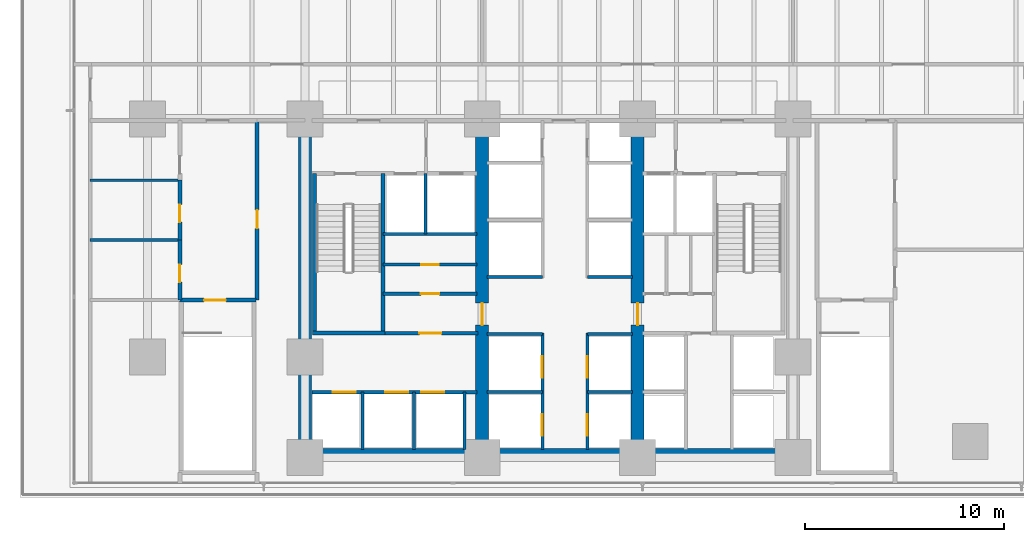
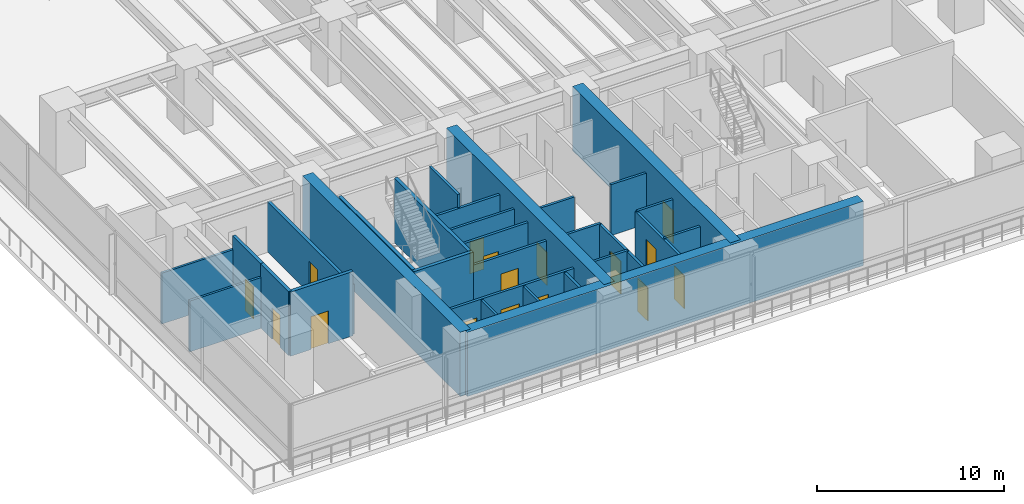
# One storey, part 7 of 21: 30 walls, 16 doors, 16 openings.
"""IFC4 building model written with IfcOpenShell, lengths in metres."""

from ifc_helpers import new_model, si_unit, direction, frame, frame_2d, origin, place, context, subcontext, project, spatial, rectangle, extrude, material, layer, layer_set, type_object, element, fill, save


model = new_model("IFC4")

# Units and contexts
model_context = context("Model", 3, precision=1e-05, world=origin(), true_north=direction((0.0, 1.0)))
body_context = subcontext(model_context, "Body", "Model", "MODEL_VIEW")
ifc_project = project(units=[si_unit("LENGTHUNIT", "METRE"), si_unit("AREAUNIT", "SQUARE_METRE"), si_unit("VOLUMEUNIT", "CUBIC_METRE"), si_unit("PLANEANGLEUNIT", "RADIAN"), si_unit("MASSUNIT", "GRAM", prefix="KILO")], contexts=[model_context])

# Site, building, storey
site_placement = place(None, origin())
site = spatial("IfcSite", under=ifc_project, at=site_placement, CompositionType="ELEMENT")
building_placement = place(site_placement, origin())
building = spatial("IfcBuilding", under=site, at=building_placement, Name="Qalmaran Belvedere Hotel", CompositionType="ELEMENT")
storey_placement = place(building_placement, frame((0.0, 0.0, 23.800048828125)))
storey = spatial("IfcBuildingStorey", under=building, at=storey_placement, Name="L05", CompositionType="ELEMENT", Elevation=23.800048828125)

# Walls
ifc_material_1 = material(Name="Concrete C60/75", Category="concrete")
ifc_layer_1 = layer(ifc_material_1, 0.64990234375, Name="Concrete C60/75")
ifc_layer_set_1 = layer_set([ifc_layer_1], Name="Concrete C60/75")
wall_type_1 = type_object("IfcWallType", Name="WL-CORE-650-C60", PredefinedType="SHEAR", material=ifc_layer_set_1)
wall_1_placement = place(storey_placement, frame((20.300048828125, 3.6298828125, 0.0), z_axis=(0.0, 0.0, 1.0), x_axis=(1.0, 0.0, 0.0)))
element("IfcWall", 1, at=wall_1_placement, inside=storey, type_object=wall_type_1, Name="L05 South Core Shear Wall", PredefinedType="SHEAR", context=body_context, shape_type="SweptSolid", body=[
    extrude(rectangle(XDim=24.5, YDim=0.64990234375, at=frame_2d((12.25, 0.0))), origin(), (0.0, 0.0, 1.0), 4.199951171875),
])
wall_2_placement = place(storey_placement, frame((20.300048828125, 3.5, 0.0), z_axis=(0.0, 0.0, 1.0), x_axis=(0.0, 1.0, 0.0)))
element("IfcWall", 2, at=wall_2_placement, inside=storey, type_object=wall_type_1, Name="L05 West Core Shear Wall", PredefinedType="SHEAR", context=body_context, shape_type="SweptSolid", body=[
    extrude(rectangle(XDim=16.89990234375, YDim=0.64990234375, at=frame_2d((8.449951171875, 0.0))), origin(), (0.0, 0.0, 1.0), 4.199951171875),
])

# Wall, opening, door
wall_3_placement = place(storey_placement, frame((29.199951171875, 3.5, 0.0), z_axis=(0.0, 0.0, 1.0), x_axis=(0.0, 1.0, 0.0)))
wall_3 = element("IfcWall", 3, at=wall_3_placement, inside=storey, type_object=wall_type_1, Name="L05 Core West Spine Shear Wall", PredefinedType="SHEAR", context=body_context, shape_type="SweptSolid", body=[
    extrude(rectangle(XDim=16.89990234375, YDim=0.64990234375, at=frame_2d((8.449951171875, 0.0))), origin(), (0.0, 0.0, 1.0), 4.199951171875),
])
opening_1_placement = place(wall_3_placement, frame((7.75, 0.0, 0.0), z_axis=(0.0, 0.0, 1.0), x_axis=(-1.0, 0.0, 0.0)))
opening_1 = element("IfcOpeningElement", 4, at=opening_1_placement, cuts=wall_3, Name="Opening FD90", PredefinedType="OPENING", context=body_context, shape_type="SweptSolid", body=[
    extrude(rectangle(XDim=1.10009765625, YDim=2.14990234375, at=frame_2d((0.550048828125, 1.074951171875))), frame((0.0, 0.3349609375, 0.0), z_axis=(0.0, -1.0, 0.0), x_axis=(1.0, 0.0, 0.0)), (0.0, 0.0, 1.0), 0.669921875),
])
ifc_material_2 = material(Name="Steel S355JR", Category="steel")
door_type_1 = type_object("IfcDoorType", Name="DR-FD90-1100X2150", OperationType="NOTDEFINED", PredefinedType="DOOR", material=ifc_material_2)
door_1_placement = place(opening_1_placement, origin())
door_1 = element("IfcDoor", 5, at=door_1_placement, inside=storey, type_object=door_type_1, Name="L05 Core West Cross-Lobby Door", OperationType="SINGLE_SWING_LEFT", OverallHeight=2.14990234375, OverallWidth=1.10009765625, PredefinedType="DOOR", context=body_context, shape_type="SweptSolid", body=[
    extrude(rectangle(XDim=1.10009765625, YDim=2.14990234375, at=frame_2d((0.550048828125, 1.074951171875))), frame((0.0, 0.02490234375, 0.0), z_axis=(0.0, -1.0, 0.0), x_axis=(1.0, 0.0, 0.0)), (0.0, 0.0, 1.0), 0.050048828125),
])
fill(opening_1, door_1)

wall_4_placement = place(storey_placement, frame((37.0, 3.5, 0.0), z_axis=(0.0, 0.0, 1.0), x_axis=(0.0, 1.0, 0.0)))
wall_4 = element("IfcWall", 6, at=wall_4_placement, inside=storey, type_object=wall_type_1, Name="L05 Core East Spine Shear Wall", PredefinedType="SHEAR", context=body_context, shape_type="SweptSolid", body=[
    extrude(rectangle(XDim=16.89990234375, YDim=0.64990234375, at=frame_2d((8.449951171875, 0.0))), origin(), (0.0, 0.0, 1.0), 4.199951171875),
])
opening_2_placement = place(wall_4_placement, frame((6.64990234375, 0.0, 0.0)))
opening_2 = element("IfcOpeningElement", 7, at=opening_2_placement, cuts=wall_4, Name="Opening FD90", PredefinedType="OPENING", context=body_context, shape_type="SweptSolid", body=[
    extrude(rectangle(XDim=1.10009765625, YDim=2.14990234375, at=frame_2d((0.550048828125, 1.074951171875))), frame((0.0, 0.3349609375, 0.0), z_axis=(0.0, -1.0, 0.0), x_axis=(1.0, 0.0, 0.0)), (0.0, 0.0, 1.0), 0.669921875),
])
door_2_placement = place(opening_2_placement, origin())
door_2 = element("IfcDoor", 8, at=door_2_placement, inside=storey, type_object=door_type_1, Name="L05 Core East Cross-Lobby Door", OperationType="SINGLE_SWING_RIGHT", OverallHeight=2.14990234375, OverallWidth=1.10009765625, PredefinedType="DOOR", context=body_context, shape_type="SweptSolid", body=[
    extrude(rectangle(XDim=1.10009765625, YDim=2.14990234375, at=frame_2d((0.550048828125, 1.074951171875))), frame((0.0, 0.02490234375, 0.0), z_axis=(0.0, -1.0, 0.0), x_axis=(1.0, 0.0, 0.0)), (0.0, 0.0, 1.0), 0.050048828125),
])
fill(opening_2, door_2)

# Walls
ifc_material_3 = material(Name="Gypsum Stud Partition")
ifc_layer_2 = layer(ifc_material_3, 0.139892578125, Name="Gypsum Stud Partition")
ifc_layer_set_2 = layer_set([ifc_layer_2], Name="Gypsum Stud Partition")
wall_type_2 = type_object("IfcWallType", Name="WL-INT-140-NR", PredefinedType="PARTITIONING", material=ifc_layer_set_2)
for number, where, z_axis, x_axis, name in (
    (9, (9.52001953125, 14.419921875, 0.0), (0.0, 0.0, 1.0), (1.0, 0.0, 0.0), "L05 Partition WL-L05-WC1"),
    (10, (9.52001953125, 17.419921875, 0.0), (0.0, 0.0, 1.0), (1.0, 0.0, 0.0), "L05 Partition WL-L05-WC2"),
):
    element("IfcWall", number, at=place(storey_placement, frame(where, z_axis=z_axis, x_axis=x_axis)), inside=storey, type_object=wall_type_2, Name=name, PredefinedType="PARTITIONING", context=body_context, shape_type="SweptSolid", body=[
        extrude(rectangle(XDim=4.5, YDim=0.139892578125, at=frame_2d((2.25, 0.0))), origin(), (0.0, 0.0, 1.0), 3.329833984375),
    ])
ifc_layer_3 = layer(ifc_material_3, 0.14990234375, Name="Gypsum Stud Partition")
ifc_layer_set_3 = layer_set([ifc_layer_3], Name="Gypsum Stud Partition")
wall_type_3 = type_object("IfcWallType", Name="WL-INT-150-EI120", PredefinedType="PARTITIONING", material=ifc_layer_set_3)
wall_5_placement = place(storey_placement, frame((26.360107421875, 14.719970703125, 0.0), z_axis=(0.0, 0.0, 1.0), x_axis=(0.0, 1.0, 0.0)))
element("IfcWall", 11, at=wall_5_placement, inside=storey, type_object=wall_type_3, Name="L05 Partition WL-FF1M-L05", PredefinedType="PARTITIONING", context=body_context, shape_type="SweptSolid", body=[
    extrude(rectangle(XDim=3.0400390625, YDim=0.14990234375, at=frame_2d((1.52001953125, 0.0))), origin(), (0.0, 0.0, 1.0), 4.199951171875),
])
for number, where, z_axis, x_axis, name in (
    (12, (23.179931640625, 3.89990234375, 0.0), (0.0, 0.0, 1.0), (0.0, 1.0, 0.0), "L05 Partition WL-POM1-L05"),
    (13, (25.780029296875, 3.89990234375, 0.0), (0.0, 0.0, 1.0), (0.0, 1.0, 0.0), "L05 Partition WL-POM2-L05"),
    (14, (28.320068359375, 3.89990234375, 0.0), (0.0, 0.0, 1.0), (0.0, 1.0, 0.0), "L05 Partition WL-POM3-L05"),
):
    element("IfcWall", number, at=place(storey_placement, frame(where, z_axis=z_axis, x_axis=x_axis)), inside=storey, type_object=wall_type_3, Name=name, PredefinedType="PARTITIONING", context=body_context, shape_type="SweptSolid", body=[
        extrude(rectangle(XDim=2.880126953125, YDim=0.14990234375, at=frame_2d((1.43994140625, 0.0))), origin(), (0.0, 0.0, 1.0), 3.263916015625),
    ])
wall_6_placement = place(storey_placement, frame((29.449951171875, 6.780029296875, 0.0), z_axis=(0.0, 0.0, 1.0), x_axis=(1.0, 0.0, 0.0)))
element("IfcWall", 15, at=wall_6_placement, inside=storey, type_object=wall_type_3, Name="L05 Partition WL-PLW-L05-67", PredefinedType="PARTITIONING", context=body_context, shape_type="SweptSolid", body=[
    extrude(rectangle(XDim=2.77001953125, YDim=0.14990234375, at=frame_2d((1.385009765625, 0.0))), origin(), (0.0, 0.0, 1.0), 3.329833984375),
])
wall_7_placement = place(storey_placement, frame((34.47998046875, 6.780029296875, 0.0), z_axis=(0.0, 0.0, 1.0), x_axis=(1.0, 0.0, 0.0)))
element("IfcWall", 16, at=wall_7_placement, inside=storey, type_object=wall_type_3, Name="L05 Partition WL-PLE-L05-67", PredefinedType="PARTITIONING", context=body_context, shape_type="SweptSolid", body=[
    extrude(rectangle(XDim=2.27001953125, YDim=0.14990234375, at=frame_2d((1.135009765625, 0.0))), origin(), (0.0, 0.0, 1.0), 3.329833984375),
])
wall_8_placement = place(storey_placement, frame((29.449951171875, 9.699951171875, 0.0), z_axis=(0.0, 0.0, 1.0), x_axis=(1.0, 0.0, 0.0)))
element("IfcWall", 17, at=wall_8_placement, inside=storey, type_object=wall_type_3, Name="L05 Partition WL-PLW-L05-97", PredefinedType="PARTITIONING", context=body_context, shape_type="SweptSolid", body=[
    extrude(rectangle(XDim=2.77001953125, YDim=0.14990234375, at=frame_2d((1.385009765625, 0.0))), origin(), (0.0, 0.0, 1.0), 3.329833984375),
])
wall_9_placement = place(storey_placement, frame((34.47998046875, 9.699951171875, 0.0), z_axis=(0.0, 0.0, 1.0), x_axis=(1.0, 0.0, 0.0)))
element("IfcWall", 18, at=wall_9_placement, inside=storey, type_object=wall_type_3, Name="L05 Partition WL-PLE-L05-97", PredefinedType="PARTITIONING", context=body_context, shape_type="SweptSolid", body=[
    extrude(rectangle(XDim=2.27001953125, YDim=0.14990234375, at=frame_2d((1.135009765625, 0.0))), origin(), (0.0, 0.0, 1.0), 3.329833984375),
])
wall_10_placement = place(storey_placement, frame((29.449951171875, 12.550048828125, 0.0), z_axis=(0.0, 0.0, 1.0), x_axis=(1.0, 0.0, 0.0)))
element("IfcWall", 19, at=wall_10_placement, inside=storey, type_object=wall_type_3, Name="L05 Partition WL-PMW-L05-125", PredefinedType="PARTITIONING", context=body_context, shape_type="SweptSolid", body=[
    extrude(rectangle(XDim=2.77001953125, YDim=0.14990234375, at=frame_2d((1.385009765625, 0.0))), origin(), (0.0, 0.0, 1.0), 3.329833984375),
])
wall_11_placement = place(storey_placement, frame((34.47998046875, 12.550048828125, 0.0), z_axis=(0.0, 0.0, 1.0), x_axis=(1.0, 0.0, 0.0)))
element("IfcWall", 20, at=wall_11_placement, inside=storey, type_object=wall_type_3, Name="L05 Partition WL-PME-L05-125", PredefinedType="PARTITIONING", context=body_context, shape_type="SweptSolid", body=[
    extrude(rectangle(XDim=2.27001953125, YDim=0.14990234375, at=frame_2d((1.135009765625, 0.0))), origin(), (0.0, 0.0, 1.0), 3.329833984375),
])

# Wall, opening, door
ifc_layer_4 = layer(ifc_material_3, 0.14990234375, Name="Gypsum Stud Partition")
ifc_layer_set_4 = layer_set([ifc_layer_4], Name="Gypsum Stud Partition")
wall_type_4 = type_object("IfcWallType", Name="WL-INT-150-EI60", PredefinedType="PARTITIONING", material=ifc_layer_set_4)
wall_12_placement = place(storey_placement, frame((24.219970703125, 13.18505859375, 0.0), z_axis=(0.0, 0.0, 1.0), x_axis=(1.0, 0.0, 0.0)))
wall_12 = element("IfcWall", 21, at=wall_12_placement, inside=storey, type_object=wall_type_4, Name="L05 Partition WL-L05-KWHM", PredefinedType="PARTITIONING", context=body_context, shape_type="SweptSolid", body=[
    extrude(rectangle(XDim=4.72998046875, YDim=0.14990234375, at=frame_2d((2.364990234375, 0.0))), origin(), (0.0, 0.0, 1.0), 3.329833984375),
])
opening_3_placement = place(wall_12_placement, frame((1.925048828125, 0.0, 0.0)))
opening_3 = element("IfcOpeningElement", 22, at=opening_3_placement, cuts=wall_12, Name="Opening FD60B", PredefinedType="OPENING", context=body_context, shape_type="SweptSolid", body=[
    extrude(rectangle(XDim=0.8798828125, YDim=2.080078125, at=frame_2d((0.43994140625, 1.0400390625))), frame((0.0, 0.0849609375, 0.0), z_axis=(0.0, -1.0, 0.0), x_axis=(1.0, 0.0, 0.0)), (0.0, 0.0, 1.0), 0.169921875),
])
door_type_2 = type_object("IfcDoorType", Name="DR-FD60B-880X2080", OperationType="NOTDEFINED", PredefinedType="DOOR", material=ifc_material_2)
door_3_placement = place(opening_3_placement, origin())
door_3 = element("IfcDoor", 23, at=door_3_placement, inside=storey, type_object=door_type_2, Name="L05 Staff Core WC Door", OperationType="SINGLE_SWING_LEFT", OverallHeight=2.080078125, OverallWidth=0.8798828125, PredefinedType="DOOR", context=body_context, shape_type="SweptSolid", body=[
    extrude(rectangle(XDim=0.8798828125, YDim=2.080078125, at=frame_2d((0.43994140625, 1.0400390625))), frame((0.0, 0.02490234375, 0.0), z_axis=(0.0, -1.0, 0.0), x_axis=(1.0, 0.0, 0.0)), (0.0, 0.0, 1.0), 0.050048828125),
])
fill(opening_3, door_3)

# Wall
ifc_layer_5 = layer(ifc_material_3, 0.159912109375, Name="Gypsum Stud Partition")
ifc_layer_set_5 = layer_set([ifc_layer_5], Name="Gypsum Stud Partition")
wall_type_5 = type_object("IfcWallType", Name="WL-INT-160-EI120", PredefinedType="PARTITIONING", material=ifc_layer_set_5)
wall_13_placement = place(storey_placement, frame((24.219970703125, 14.719970703125, 0.0), z_axis=(0.0, 0.0, 1.0), x_axis=(1.0, 0.0, 0.0)))
element("IfcWall", 24, at=wall_13_placement, inside=storey, type_object=wall_type_5, Name="L05 Partition WL-FF1S-L05", PredefinedType="PARTITIONING", context=body_context, shape_type="SweptSolid", body=[
    extrude(rectangle(XDim=4.72998046875, YDim=0.159912109375, at=frame_2d((2.364990234375, 0.0))), origin(), (0.0, 0.0, 1.0), 3.329833984375),
])

# Wall, openings, doors
wall_14_placement = place(storey_placement, frame((20.64990234375, 6.780029296875, 0.0), z_axis=(0.0, 0.0, 1.0), x_axis=(1.0, 0.0, 0.0)))
wall_14 = element("IfcWall", 25, at=wall_14_placement, inside=storey, type_object=wall_type_5, Name="L05 Partition WL-POS-L05", PredefinedType="PARTITIONING", context=body_context, shape_type="SweptSolid", body=[
    extrude(rectangle(XDim=8.300048828125, YDim=0.159912109375, at=frame_2d((4.14990234375, 0.0))), origin(), (0.0, 0.0, 1.0), 3.329833984375),
])
opening_4_placement = place(wall_14_placement, frame((3.69482421875, 0.0, 0.0)))
opening_4 = element("IfcOpeningElement", 26, at=opening_4_placement, cuts=wall_14, Name="Opening LD-PO", PredefinedType="OPENING", context=body_context, shape_type="SweptSolid", body=[
    extrude(rectangle(XDim=1.14990234375, YDim=2.199951171875, at=frame_2d((0.574951171875, 1.10009765625))), frame((0.0, 0.08984375, 0.0), z_axis=(0.0, -1.0, 0.0), x_axis=(1.0, 0.0, 0.0)), (0.0, 0.0, 1.0), 0.179931640625),
])
opening_5_placement = place(wall_14_placement, frame((5.4921875, 0.0, 0.0)))
opening_5 = element("IfcOpeningElement", 27, at=opening_5_placement, cuts=wall_14, Name="Opening LD-PO", PredefinedType="OPENING", context=body_context, shape_type="SweptSolid", body=[
    extrude(rectangle(XDim=1.14990234375, YDim=2.199951171875, at=frame_2d((0.574951171875, 1.10009765625))), frame((0.0, 0.08984375, 0.0), z_axis=(0.0, -1.0, 0.0), x_axis=(1.0, 0.0, 0.0)), (0.0, 0.0, 1.0), 0.179931640625),
])
opening_6_placement = place(wall_14_placement, frame((1.058837890625, 0.0, 0.0)))
opening_6 = element("IfcOpeningElement", 28, at=opening_6_placement, cuts=wall_14, Name="Opening LD-PO", PredefinedType="OPENING", context=body_context, shape_type="SweptSolid", body=[
    extrude(rectangle(XDim=1.14990234375, YDim=2.199951171875, at=frame_2d((0.574951171875, 1.10009765625))), frame((0.0, 0.08984375, 0.0), z_axis=(0.0, -1.0, 0.0), x_axis=(1.0, 0.0, 0.0)), (0.0, 0.0, 1.0), 0.179931640625),
])
ifc_material_4 = material(Name="Anodised Bronze Aluminium", Category="aluminium")
door_type_3 = type_object("IfcDoorType", Name="DR-LIFT-PO-1150X2200", OperationType="DOUBLE_DOOR_SLIDING", PredefinedType="DOOR", material=ifc_material_4)
door_4_placement = place(opening_4_placement, origin())
door_4 = element("IfcDoor", 29, at=door_4_placement, inside=storey, type_object=door_type_3, Name="L05 PO1 Shuttle Landing Door", OperationType="DOUBLE_DOOR_SLIDING", OverallHeight=2.199951171875, OverallWidth=1.14990234375, PredefinedType="DOOR", context=body_context, shape_type="SweptSolid", body=[
    extrude(rectangle(XDim=1.14990234375, YDim=2.199951171875, at=frame_2d((0.574951171875, 1.10009765625))), frame((0.0, 0.02490234375, 0.0), z_axis=(0.0, -1.0, 0.0), x_axis=(1.0, 0.0, 0.0)), (0.0, 0.0, 1.0), 0.050048828125),
])
fill(opening_4, door_4)
door_5_placement = place(opening_5_placement, origin())
door_5 = element("IfcDoor", 30, at=door_5_placement, inside=storey, type_object=door_type_3, Name="L05 PO2 Shuttle Landing Door", OperationType="DOUBLE_DOOR_SLIDING", OverallHeight=2.199951171875, OverallWidth=1.14990234375, PredefinedType="DOOR", context=body_context, shape_type="SweptSolid", body=[
    extrude(rectangle(XDim=1.14990234375, YDim=2.199951171875, at=frame_2d((0.574951171875, 1.10009765625))), frame((0.0, 0.02490234375, 0.0), z_axis=(0.0, -1.0, 0.0), x_axis=(1.0, 0.0, 0.0)), (0.0, 0.0, 1.0), 0.050048828125),
])
fill(opening_5, door_5)
door_6_placement = place(opening_6_placement, origin())
door_6 = element("IfcDoor", 31, at=door_6_placement, inside=storey, type_object=door_type_3, Name="L05 PO3 Shuttle Landing Door", OperationType="DOUBLE_DOOR_SLIDING", OverallHeight=2.199951171875, OverallWidth=1.14990234375, PredefinedType="DOOR", context=body_context, shape_type="SweptSolid", body=[
    extrude(rectangle(XDim=1.14990234375, YDim=2.199951171875, at=frame_2d((0.574951171875, 1.10009765625))), frame((0.0, 0.02490234375, 0.0), z_axis=(0.0, -1.0, 0.0), x_axis=(1.0, 0.0, 0.0)), (0.0, 0.0, 1.0), 0.050048828125),
])
fill(opening_6, door_6)

# Wall, opening, door
wall_15_placement = place(storey_placement, frame((24.199951171875, 9.739990234375, 0.0), z_axis=(0.0, 0.0, 1.0), x_axis=(1.0, 0.0, 0.0)))
wall_15 = element("IfcWall", 32, at=wall_15_placement, inside=storey, type_object=wall_type_5, Name="L05 Partition WL-PON-L05", PredefinedType="PARTITIONING", context=body_context, shape_type="SweptSolid", body=[
    extrude(rectangle(XDim=4.800048828125, YDim=0.159912109375, at=frame_2d((2.39990234375, 0.0))), origin(), (0.0, 0.0, 1.0), 3.329833984375),
])
opening_7_placement = place(wall_15_placement, frame((1.85009765625, 0.0, 0.0)))
opening_7 = element("IfcOpeningElement", 33, at=opening_7_placement, cuts=wall_15, Name="Opening FD90", PredefinedType="OPENING", context=body_context, shape_type="SweptSolid", body=[
    extrude(rectangle(XDim=1.10009765625, YDim=2.14990234375, at=frame_2d((0.550048828125, 1.074951171875))), frame((0.0, 0.08984375, 0.0), z_axis=(0.0, -1.0, 0.0), x_axis=(1.0, 0.0, 0.0)), (0.0, 0.0, 1.0), 0.179931640625),
])
door_7_placement = place(opening_7_placement, origin())
door_7 = element("IfcDoor", 34, at=door_7_placement, inside=storey, type_object=door_type_1, Name="L05 Shuttle Lobby Passage Door", OperationType="SINGLE_SWING_LEFT", OverallHeight=2.14990234375, OverallWidth=1.10009765625, PredefinedType="DOOR", context=body_context, shape_type="SweptSolid", body=[
    extrude(rectangle(XDim=1.10009765625, YDim=2.14990234375, at=frame_2d((0.550048828125, 1.074951171875))), frame((0.0, 0.02490234375, 0.0), z_axis=(0.0, -1.0, 0.0), x_axis=(1.0, 0.0, 0.0)), (0.0, 0.0, 1.0), 0.050048828125),
])
fill(opening_7, door_7)

# Wall, openings, doors
wall_16_placement = place(storey_placement, frame((32.219970703125, 3.89990234375, 0.0), z_axis=(0.0, 0.0, 1.0), x_axis=(0.0, 1.0, 0.0)))
wall_16 = element("IfcWall", 35, at=wall_16_placement, inside=storey, type_object=wall_type_5, Name="L05 Partition WL-CLBWS-L05", PredefinedType="PARTITIONING", context=body_context, shape_type="SweptSolid", body=[
    extrude(rectangle(XDim=5.840087890625, YDim=0.159912109375, at=frame_2d((2.919921875, 0.0))), origin(), (0.0, 0.0, 1.0), 3.263916015625),
])
opening_8_placement = place(wall_16_placement, frame((1.780029296875, 0.0, 0.0), z_axis=(0.0, 0.0, 1.0), x_axis=(-1.0, 0.0, 0.0)))
opening_8 = element("IfcOpeningElement", 36, at=opening_8_placement, cuts=wall_16, Name="Opening LD-P1", PredefinedType="OPENING", context=body_context, shape_type="SweptSolid", body=[
    extrude(rectangle(XDim=1.080078125, YDim=2.159912109375, at=frame_2d((0.5400390625, 1.080078125))), frame((0.0, 0.08984375, 0.0), z_axis=(0.0, -1.0, 0.0), x_axis=(1.0, 0.0, 0.0)), (0.0, 0.0, 1.0), 0.179931640625),
])
opening_9_placement = place(wall_16_placement, frame((4.68017578125, 0.0, 0.0), z_axis=(0.0, 0.0, 1.0), x_axis=(-1.0, 0.0, 0.0)))
opening_9 = element("IfcOpeningElement", 37, at=opening_9_placement, cuts=wall_16, Name="Opening LD-P1", PredefinedType="OPENING", context=body_context, shape_type="SweptSolid", body=[
    extrude(rectangle(XDim=1.080078125, YDim=2.159912109375, at=frame_2d((0.5400390625, 1.080078125))), frame((0.0, 0.08984375, 0.0), z_axis=(0.0, -1.0, 0.0), x_axis=(1.0, 0.0, 0.0)), (0.0, 0.0, 1.0), 0.179931640625),
])
ifc_material_5 = material(Name="Stainless Steel 1.4401", Category="steel")
door_type_4 = type_object("IfcDoorType", Name="DR-LIFT-P1-1080X2160", OperationType="DOUBLE_DOOR_SLIDING", PredefinedType="DOOR", material=ifc_material_5)
door_8_placement = place(opening_8_placement, origin())
door_8 = element("IfcDoor", 38, at=door_8_placement, inside=storey, type_object=door_type_4, Name="L05 PL1 Lift Landing Door", OperationType="DOUBLE_DOOR_SLIDING", OverallHeight=2.159912109375, OverallWidth=1.080078125, PredefinedType="DOOR", context=body_context, shape_type="SweptSolid", body=[
    extrude(rectangle(XDim=1.080078125, YDim=2.159912109375, at=frame_2d((0.5400390625, 1.080078125))), frame((0.0, 0.02490234375, 0.0), z_axis=(0.0, -1.0, 0.0), x_axis=(1.0, 0.0, 0.0)), (0.0, 0.0, 1.0), 0.050048828125),
])
fill(opening_8, door_8)
door_9_placement = place(opening_9_placement, origin())
door_9 = element("IfcDoor", 39, at=door_9_placement, inside=storey, type_object=door_type_4, Name="L05 PL2 Lift Landing Door", OperationType="DOUBLE_DOOR_SLIDING", OverallHeight=2.159912109375, OverallWidth=1.080078125, PredefinedType="DOOR", context=body_context, shape_type="SweptSolid", body=[
    extrude(rectangle(XDim=1.080078125, YDim=2.159912109375, at=frame_2d((0.5400390625, 1.080078125))), frame((0.0, 0.02490234375, 0.0), z_axis=(0.0, -1.0, 0.0), x_axis=(1.0, 0.0, 0.0)), (0.0, 0.0, 1.0), 0.050048828125),
])
fill(opening_9, door_9)

wall_17_placement = place(storey_placement, frame((34.47998046875, 3.89990234375, 0.0), z_axis=(0.0, 0.0, 1.0), x_axis=(0.0, 1.0, 0.0)))
wall_17 = element("IfcWall", 40, at=wall_17_placement, inside=storey, type_object=wall_type_5, Name="L05 Partition WL-CLBES-L05", PredefinedType="PARTITIONING", context=body_context, shape_type="SweptSolid", body=[
    extrude(rectangle(XDim=5.840087890625, YDim=0.159912109375, at=frame_2d((2.919921875, 0.0))), origin(), (0.0, 0.0, 1.0), 3.263916015625),
])
opening_10_placement = place(wall_17_placement, frame((0.699951171875, 0.0, 0.0)))
opening_10 = element("IfcOpeningElement", 41, at=opening_10_placement, cuts=wall_17, Name="Opening LD-P1", PredefinedType="OPENING", context=body_context, shape_type="SweptSolid", body=[
    extrude(rectangle(XDim=1.080078125, YDim=2.159912109375, at=frame_2d((0.5400390625, 1.080078125))), frame((0.0, 0.08984375, 0.0), z_axis=(0.0, -1.0, 0.0), x_axis=(1.0, 0.0, 0.0)), (0.0, 0.0, 1.0), 0.179931640625),
])
opening_11_placement = place(wall_17_placement, frame((3.60009765625, 0.0, 0.0)))
opening_11 = element("IfcOpeningElement", 42, at=opening_11_placement, cuts=wall_17, Name="Opening LD-P1", PredefinedType="OPENING", context=body_context, shape_type="SweptSolid", body=[
    extrude(rectangle(XDim=1.080078125, YDim=2.159912109375, at=frame_2d((0.5400390625, 1.080078125))), frame((0.0, 0.08984375, 0.0), z_axis=(0.0, -1.0, 0.0), x_axis=(1.0, 0.0, 0.0)), (0.0, 0.0, 1.0), 0.179931640625),
])
door_10_placement = place(opening_10_placement, origin())
door_10 = element("IfcDoor", 43, at=door_10_placement, inside=storey, type_object=door_type_4, Name="L05 PL3 Lift Landing Door", OperationType="DOUBLE_DOOR_SLIDING", OverallHeight=2.159912109375, OverallWidth=1.080078125, PredefinedType="DOOR", context=body_context, shape_type="SweptSolid", body=[
    extrude(rectangle(XDim=1.080078125, YDim=2.159912109375, at=frame_2d((0.5400390625, 1.080078125))), frame((0.0, 0.02490234375, 0.0), z_axis=(0.0, -1.0, 0.0), x_axis=(1.0, 0.0, 0.0)), (0.0, 0.0, 1.0), 0.050048828125),
])
fill(opening_10, door_10)
door_11_placement = place(opening_11_placement, origin())
door_11 = element("IfcDoor", 44, at=door_11_placement, inside=storey, type_object=door_type_4, Name="L05 PL4 Lift Landing Door", OperationType="DOUBLE_DOOR_SLIDING", OverallHeight=2.159912109375, OverallWidth=1.080078125, PredefinedType="DOOR", context=body_context, shape_type="SweptSolid", body=[
    extrude(rectangle(XDim=1.080078125, YDim=2.159912109375, at=frame_2d((0.5400390625, 1.080078125))), frame((0.0, 0.02490234375, 0.0), z_axis=(0.0, -1.0, 0.0), x_axis=(1.0, 0.0, 0.0)), (0.0, 0.0, 1.0), 0.050048828125),
])
fill(opening_11, door_11)

# Wall, opening, door
ifc_layer_6 = layer(ifc_material_3, 0.159912109375, Name="Gypsum Stud Partition")
ifc_layer_set_6 = layer_set([ifc_layer_6], Name="Gypsum Stud Partition")
wall_type_6 = type_object("IfcWallType", Name="WL-INT-160-EI60", PredefinedType="PARTITIONING", material=ifc_layer_set_6)
wall_18_placement = place(storey_placement, frame((24.219970703125, 11.719970703125, 0.0), z_axis=(0.0, 0.0, 1.0), x_axis=(1.0, 0.0, 0.0)))
wall_18 = element("IfcWall", 45, at=wall_18_placement, inside=storey, type_object=wall_type_6, Name="L05 Partition WL-L05-KWE1", PredefinedType="PARTITIONING", context=body_context, shape_type="SweptSolid", body=[
    extrude(rectangle(XDim=4.72998046875, YDim=0.159912109375, at=frame_2d((2.364990234375, 0.0))), origin(), (0.0, 0.0, 1.0), 3.329833984375),
])
opening_12_placement = place(wall_18_placement, frame((1.905029296875, 0.0, 0.0)))
opening_12 = element("IfcOpeningElement", 46, at=opening_12_placement, cuts=wall_18, Name="Opening FD60S1", PredefinedType="OPENING", context=body_context, shape_type="SweptSolid", body=[
    extrude(rectangle(XDim=0.919921875, YDim=2.080078125, at=frame_2d((0.4599609375, 1.0400390625))), frame((0.0, 0.08984375, 0.0), z_axis=(0.0, -1.0, 0.0), x_axis=(1.0, 0.0, 0.0)), (0.0, 0.0, 1.0), 0.179931640625),
])
ifc_material_6 = material(Name="Engineered Oak Veneer")
door_type_5 = type_object("IfcDoorType", Name="DR-FD60S-920X2080", OperationType="NOTDEFINED", PredefinedType="DOOR", material=ifc_material_6)
door_12_placement = place(opening_12_placement, origin())
door_12 = element("IfcDoor", 47, at=door_12_placement, inside=storey, type_object=door_type_5, Name="L05 Cleaner Supply Store Door", OperationType="SINGLE_SWING_RIGHT", OverallHeight=2.080078125, OverallWidth=0.919921875, PredefinedType="DOOR", context=body_context, shape_type="SweptSolid", body=[
    extrude(rectangle(XDim=0.919921875, YDim=2.080078125, at=frame_2d((0.4599609375, 1.0400390625))), frame((0.0, 0.02490234375, 0.0), z_axis=(0.0, -1.0, 0.0), x_axis=(1.0, 0.0, 0.0)), (0.0, 0.0, 1.0), 0.050048828125),
])
fill(opening_12, door_12)

ifc_material_7 = material(Name="Concrete C30/37 Blockwork", Category="masonry")
ifc_layer_7 = layer(ifc_material_7, 0.199951171875, Name="Concrete C30/37 Blockwork")
ifc_layer_set_7 = layer_set([ifc_layer_7], Name="Concrete C30/37 Blockwork")
wall_type_7 = type_object("IfcWallType", Name="WL-INT-200-EI120", PredefinedType="PARTITIONING", material=ifc_layer_set_7)
wall_19_placement = place(storey_placement, frame((14.02001953125, 11.39990234375, 0.0), z_axis=(0.0, 0.0, 1.0), x_axis=(0.0, 1.0, 0.0)))
wall_19 = element("IfcWall", 48, at=wall_19_placement, inside=storey, type_object=wall_type_7, Name="L05 Partition WL-L05-STPWM", PredefinedType="PARTITIONING", context=body_context, shape_type="SweptSolid", body=[
    extrude(rectangle(XDim=3.02001953125, YDim=0.199951171875, at=frame_2d((1.510009765625, 0.0))), origin(), (0.0, 0.0, 1.0), 4.199951171875),
])
opening_13_placement = place(wall_19_placement, frame((0.89990234375, 0.0, 0.0)))
opening_13 = element("IfcOpeningElement", 49, at=opening_13_placement, cuts=wall_19, Name="Opening FD60B", PredefinedType="OPENING", context=body_context, shape_type="SweptSolid", body=[
    extrude(rectangle(XDim=0.8798828125, YDim=2.080078125, at=frame_2d((0.43994140625, 1.0400390625))), frame((0.0, 0.10986328125, 0.0), z_axis=(0.0, -1.0, 0.0), x_axis=(1.0, 0.0, 0.0)), (0.0, 0.0, 1.0), 0.219970703125),
])
door_13_placement = place(opening_13_placement, origin())
door_13 = element("IfcDoor", 50, at=door_13_placement, inside=storey, type_object=door_type_2, Name="L05 Male WC Door", OperationType="SINGLE_SWING_RIGHT", OverallHeight=2.080078125, OverallWidth=0.8798828125, PredefinedType="DOOR", context=body_context, shape_type="SweptSolid", body=[
    extrude(rectangle(XDim=0.8798828125, YDim=2.080078125, at=frame_2d((0.43994140625, 1.0400390625))), frame((0.0, 0.02490234375, 0.0), z_axis=(0.0, -1.0, 0.0), x_axis=(1.0, 0.0, 0.0)), (0.0, 0.0, 1.0), 0.050048828125),
])
fill(opening_13, door_13)

wall_20_placement = place(storey_placement, frame((14.02001953125, 14.419921875, 0.0), z_axis=(0.0, 0.0, 1.0), x_axis=(0.0, 1.0, 0.0)))
wall_20 = element("IfcWall", 51, at=wall_20_placement, inside=storey, type_object=wall_type_7, Name="L05 Partition WL-L05-STPWF", PredefinedType="PARTITIONING", context=body_context, shape_type="SweptSolid", body=[
    extrude(rectangle(XDim=3.0, YDim=0.199951171875, at=frame_2d((1.5, 0.0))), origin(), (0.0, 0.0, 1.0), 4.199951171875),
])
opening_14_placement = place(wall_20_placement, frame((0.89990234375, 0.0, 0.0)))
opening_14 = element("IfcOpeningElement", 52, at=opening_14_placement, cuts=wall_20, Name="Opening FD60B", PredefinedType="OPENING", context=body_context, shape_type="SweptSolid", body=[
    extrude(rectangle(XDim=0.8798828125, YDim=2.080078125, at=frame_2d((0.43994140625, 1.0400390625))), frame((0.0, 0.10986328125, 0.0), z_axis=(0.0, -1.0, 0.0), x_axis=(1.0, 0.0, 0.0)), (0.0, 0.0, 1.0), 0.219970703125),
])
door_14_placement = place(opening_14_placement, origin())
door_14 = element("IfcDoor", 53, at=door_14_placement, inside=storey, type_object=door_type_2, Name="L05 Female WC Door", OperationType="SINGLE_SWING_LEFT", OverallHeight=2.080078125, OverallWidth=0.8798828125, PredefinedType="DOOR", context=body_context, shape_type="SweptSolid", body=[
    extrude(rectangle(XDim=0.8798828125, YDim=2.080078125, at=frame_2d((0.43994140625, 1.0400390625))), frame((0.0, 0.02490234375, 0.0), z_axis=(0.0, -1.0, 0.0), x_axis=(1.0, 0.0, 0.0)), (0.0, 0.0, 1.0), 0.050048828125),
])
fill(opening_14, door_14)

wall_21_placement = place(storey_placement, frame((17.89990234375, 11.39990234375, 0.0), z_axis=(0.0, 0.0, 1.0), x_axis=(0.0, 1.0, 0.0)))
wall_21 = element("IfcWall", 54, at=wall_21_placement, inside=storey, type_object=wall_type_7, Name="L05 Partition WL-L05-STPW2", PredefinedType="PARTITIONING", context=body_context, shape_type="SweptSolid", body=[
    extrude(rectangle(XDim=9.02001953125, YDim=0.199951171875, at=frame_2d((4.510009765625, 0.0))), origin(), (0.0, 0.0, 1.0), 3.263916015625),
])
opening_15_placement = place(wall_21_placement, frame((4.52001953125, 0.0, 0.0), z_axis=(0.0, 0.0, 1.0), x_axis=(-1.0, 0.0, 0.0)))
opening_15 = element("IfcOpeningElement", 55, at=opening_15_placement, cuts=wall_21, Name="Opening FD60S1", PredefinedType="OPENING", context=body_context, shape_type="SweptSolid", body=[
    extrude(rectangle(XDim=0.919921875, YDim=2.080078125, at=frame_2d((0.4599609375, 1.0400390625))), frame((0.0, 0.10986328125, 0.0), z_axis=(0.0, -1.0, 0.0), x_axis=(1.0, 0.0, 0.0)), (0.0, 0.0, 1.0), 0.219970703125),
])
door_15_placement = place(opening_15_placement, origin())
door_15 = element("IfcDoor", 56, at=door_15_placement, inside=storey, type_object=door_type_5, Name="L05 South Foyer Door", OperationType="SINGLE_SWING_LEFT", OverallHeight=2.080078125, OverallWidth=0.919921875, PredefinedType="DOOR", context=body_context, shape_type="SweptSolid", body=[
    extrude(rectangle(XDim=0.919921875, YDim=2.080078125, at=frame_2d((0.4599609375, 1.0400390625))), frame((0.0, 0.02490234375, 0.0), z_axis=(0.0, -1.0, 0.0), x_axis=(1.0, 0.0, 0.0)), (0.0, 0.0, 1.0), 0.050048828125),
])
fill(opening_15, door_15)

# Walls
ifc_material_8 = material(Name="Concrete C50/60", Category="concrete")
ifc_layer_8 = layer(ifc_material_8, 0.2099609375, Name="Concrete C50/60")
ifc_layer_set_8 = layer_set([ifc_layer_8], Name="Concrete C50/60")
wall_type_8 = type_object("IfcWallType", Name="WL-STAIR-210-C50", PredefinedType="SHEAR", material=ifc_layer_set_8)
for number, where, z_axis, x_axis, name in (
    (57, (20.77490234375, 9.7451171875, 0.0), (0.0, 0.0, 1.0), (0.0, 1.0, 0.0), "L05 Stair ST-1 West Bearing Wall"),
    (58, (24.22509765625, 9.7451171875, 0.0), (0.0, 0.0, 1.0), (0.0, 1.0, 0.0), "L05 Stair ST-1 East Bearing Wall"),
):
    element("IfcWall", number, at=place(storey_placement, frame(where, z_axis=z_axis, x_axis=x_axis)), inside=storey, type_object=wall_type_8, Name=name, PredefinedType="SHEAR", context=body_context, shape_type="SweptSolid", body=[
        extrude(rectangle(XDim=8.009765625, YDim=0.2099609375, at=frame_2d((4.0048828125, 0.0))), origin(), (0.0, 0.0, 1.0), 4.199951171875),
    ])
wall_22_placement = place(storey_placement, frame((20.669921875, 9.7451171875, 0.0), z_axis=(0.0, 0.0, 1.0), x_axis=(1.0, 0.0, 0.0)))
element("IfcWall", 59, at=wall_22_placement, inside=storey, type_object=wall_type_8, Name="L05 Stair ST-1 South Bearing Wall", PredefinedType="SHEAR", context=body_context, shape_type="SweptSolid", body=[
    extrude(rectangle(XDim=3.66015625, YDim=0.2099609375, at=frame_2d((1.830078125, 0.0))), origin(), (0.0, 0.0, 1.0), 4.199951171875),
])

# Wall, opening, door
wall_23_placement = place(storey_placement, frame((13.989990234375, 11.405029296875, 0.0), z_axis=(0.0, 0.0, 1.0), x_axis=(1.0, 0.0, 0.0)))
wall_23 = element("IfcWall", 60, at=wall_23_placement, inside=storey, type_object=wall_type_8, Name="L05 Podium Stair STP1 North Bearing Wall", PredefinedType="SHEAR", context=body_context, shape_type="SweptSolid", body=[
    extrude(rectangle(XDim=3.860107421875, YDim=0.2099609375, at=frame_2d((1.93017578125, 0.0))), origin(), (0.0, 0.0, 1.0), 4.199951171875),
])
opening_16_placement = place(wall_23_placement, frame((2.35009765625, 0.0, 0.0), z_axis=(0.0, 0.0, 1.0), x_axis=(-1.0, 0.0, 0.0)))
opening_16 = element("IfcOpeningElement", 61, at=opening_16_placement, cuts=wall_23, Name="Opening FD90", PredefinedType="OPENING", context=body_context, shape_type="SweptSolid", body=[
    extrude(rectangle(XDim=1.10009765625, YDim=2.14990234375, at=frame_2d((0.550048828125, 1.074951171875))), frame((0.0, 0.114990234375, 0.0), z_axis=(0.0, -1.0, 0.0), x_axis=(1.0, 0.0, 0.0)), (0.0, 0.0, 1.0), 0.22998046875),
])
door_16_placement = place(opening_16_placement, origin())
door_16 = element("IfcDoor", 62, at=door_16_placement, inside=storey, type_object=door_type_1, Name="L05 Stair ST-P1 Door", OperationType="SINGLE_SWING_LEFT", OverallHeight=2.14990234375, OverallWidth=1.10009765625, PredefinedType="DOOR", context=body_context, shape_type="SweptSolid", body=[
    extrude(rectangle(XDim=1.10009765625, YDim=2.14990234375, at=frame_2d((0.550048828125, 1.074951171875))), frame((0.0, 0.02490234375, 0.0), z_axis=(0.0, -1.0, 0.0), x_axis=(1.0, 0.0, 0.0)), (0.0, 0.0, 1.0), 0.050048828125),
])
fill(opening_16, door_16)

save(model, "model.ifc")
